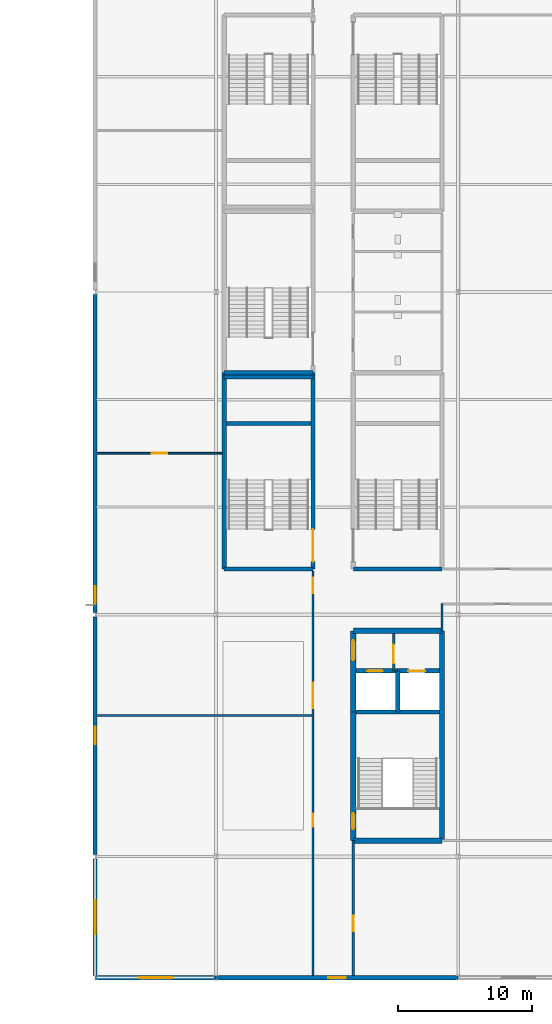
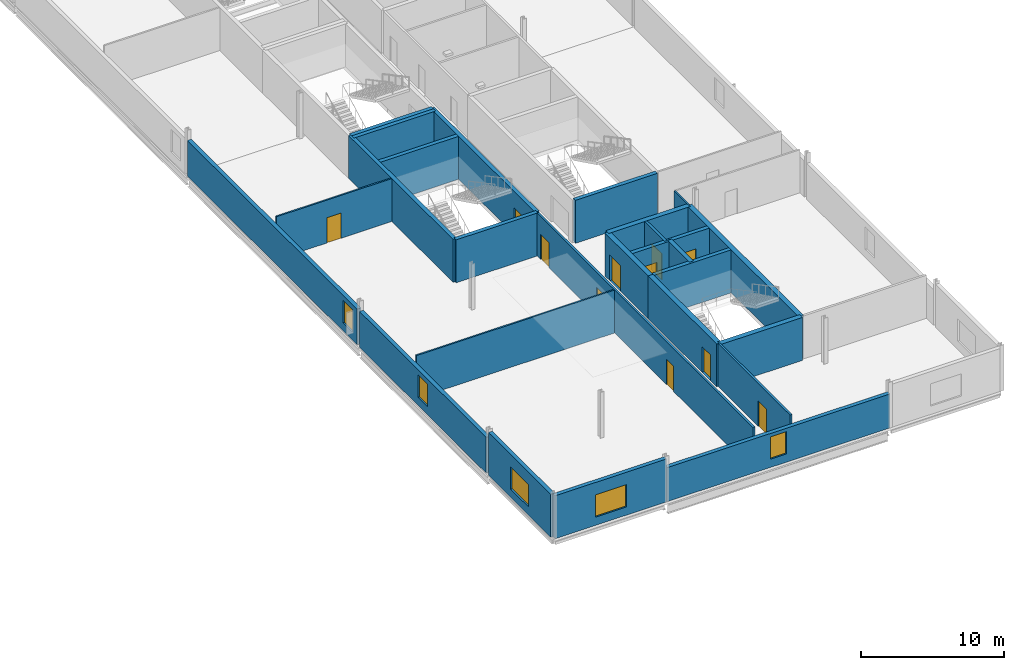
# One storey, part 14 of 27: 27 walls, 11 doors, 5 windows, 16 openings.
"""IFC4 building model written with IfcOpenShell, lengths in metres."""

from ifc_helpers import new_model, si_unit, direction, frame, frame_2d, origin, place, context, subcontext, project, spatial, rectangle, extrude, material, layer, layer_set, type_object, element, fill, save


model = new_model("IFC4")

# Units and contexts
model_context = context("Model", 3, precision=1e-05, world=origin(), true_north=direction((0.0, 1.0)))
body_context = subcontext(model_context, "Body", "Model", "MODEL_VIEW")
ifc_project = project(units=[si_unit("LENGTHUNIT", "METRE"), si_unit("AREAUNIT", "SQUARE_METRE"), si_unit("VOLUMEUNIT", "CUBIC_METRE"), si_unit("PLANEANGLEUNIT", "RADIAN"), si_unit("MASSUNIT", "GRAM", prefix="KILO")], contexts=[model_context])

# Site, building, storey
site_placement = place(None, origin())
site = spatial("IfcSite", under=ifc_project, at=site_placement, CompositionType="ELEMENT")
building_placement = place(site_placement, origin())
building = spatial("IfcBuilding", under=site, at=building_placement, Name="Kisiwana Market Hall", CompositionType="ELEMENT")
storey_placement = place(building_placement, frame((0.0, 0.0, 41.699951171875)))
storey = spatial("IfcBuildingStorey", under=building, at=storey_placement, Name="L09", CompositionType="ELEMENT", Elevation=41.699951171875)

# Wall, opening, door
ifc_material_1 = material(Name="Masonry blockwork", Category="masonry")
ifc_layer_1 = layer(ifc_material_1, 0.199951171875, Name="Plastered fire compartment block wall")
ifc_layer_set_1 = layer_set([ifc_layer_1], Name="WL-COMP-200")
wall_type_1 = type_object("IfcWallType", Name="WL-COMP-200", PredefinedType="PARTITIONING", material=ifc_layer_set_1)
wall_1_placement = place(storey_placement, frame((184.199951171875, 31.820068359375, 0.0), z_axis=(0.0, 0.0, 1.0), x_axis=(0.0, 1.0, 0.0)))
wall_1 = element("IfcWall", 1, at=wall_1_placement, inside=storey, type_object=wall_type_1, Name="Core E2 firefighting lobby wall W-2545", PredefinedType="PARTITIONING", context=body_context, shape_type="SweptSolid", body=[
    extrude(rectangle(XDim=2.780029296875, YDim=0.199951171875, at=frame_2d((1.39013671875, 0.0))), origin(), (0.0, 0.0, 1.0), 3.655029296875),
])
opening_1_placement = place(wall_1_placement, frame((0.550048828125, 0.0, 0.0)))
opening_1 = element("IfcOpeningElement", 2, at=opening_1_placement, cuts=wall_1, Name="Opening DR-L09-009", PredefinedType="OPENING", context=body_context, shape_type="SweptSolid", body=[
    extrude(rectangle(XDim=1.39990234375, YDim=2.25, at=frame_2d((0.699951171875, 1.125))), frame((0.0, 0.11181640625, 0.0), z_axis=(0.0, -1.0, 0.0), x_axis=(1.0, 0.0, 0.0)), (0.0, 0.0, 1.0), 0.223876953125),
])
ifc_material_2 = material(Name="Steel S275", Category="steel")
door_type_1 = type_object("IfcDoorType", Name="DR-FFLOB-FD120-1400", OperationType="DOUBLE_DOOR_SINGLE_SWING", PredefinedType="DOOR", material=ifc_material_2)
door_1_placement = place(opening_1_placement, origin())
door_1 = element("IfcDoor", 3, at=door_1_placement, inside=storey, type_object=door_type_1, Name="Firefighting Lift Lobby E2 Door (L09)", OperationType="DOUBLE_DOOR_SINGLE_SWING", OverallHeight=2.25, OverallWidth=1.39990234375, PredefinedType="DOOR", context=body_context, shape_type="SweptSolid", body=[
    extrude(rectangle(XDim=1.39990234375, YDim=2.25, at=frame_2d((0.699951171875, 1.125))), frame((0.0, 0.02490234375, 0.0), z_axis=(0.0, -1.0, 0.0), x_axis=(1.0, 0.0, 0.0)), (0.0, 0.0, 1.0), 0.050048828125),
])
fill(opening_1, door_1)

# Walls
ifc_material_3 = material(Name="Concrete C40/50", Category="concrete")
ifc_layer_2 = layer(ifc_material_3, 0.320068359375, Name="Reinforced concrete shaft wall")
ifc_layer_set_2 = layer_set([ifc_layer_2], Name="WL-CORE-320")
wall_type_2 = type_object("IfcWallType", Name="WL-CORE-320", PredefinedType="SHEAR", material=ifc_layer_set_2)
wall_2_placement = place(storey_placement, frame((181.39990234375, 28.760009765625, 0.0), z_axis=(0.0, 0.0, 1.0), x_axis=(1.0, 0.0, 0.0)))
element("IfcWall", 4, at=wall_2_placement, inside=storey, type_object=wall_type_2, Name="Core E2 shaft back shear wall W-2446", PredefinedType="SHEAR", context=body_context, shape_type="SweptSolid", body=[
    extrude(rectangle(XDim=6.2001953125, YDim=0.320068359375, at=frame_2d((3.10009765625, 0.0))), origin(), (0.0, 0.0, 1.0), 3.655029296875),
])
wall_3_placement = place(storey_placement, frame((184.5, 28.760009765625, 0.0), z_axis=(0.0, 0.0, 1.0), x_axis=(0.0, 1.0, 0.0)))
element("IfcWall", 5, at=wall_3_placement, inside=storey, type_object=wall_type_2, Name="Core E2 inter-shaft shear wall W-2447", PredefinedType="SHEAR", context=body_context, shape_type="SweptSolid", body=[
    extrude(rectangle(XDim=3.06005859375, YDim=0.320068359375, at=frame_2d((1.530029296875, 0.0))), origin(), (0.0, 0.0, 1.0), 3.655029296875),
])

# Wall, opening, door
wall_4_placement = place(storey_placement, frame((181.39990234375, 31.820068359375, 0.0), z_axis=(0.0, 0.0, 1.0), x_axis=(1.0, 0.0, 0.0)))
wall_4 = element("IfcWall", 6, at=wall_4_placement, inside=storey, type_object=wall_type_2, Name="Core E2 west lift front wall W-2448", PredefinedType="SHEAR", context=body_context, shape_type="SweptSolid", body=[
    extrude(rectangle(XDim=3.10009765625, YDim=0.320068359375, at=frame_2d((1.550048828125, 0.0))), origin(), (0.0, 0.0, 1.0), 3.655029296875),
])
opening_2_placement = place(wall_4_placement, frame((0.85009765625, 0.0, 0.0)))
opening_2 = element("IfcOpeningElement", 7, at=opening_2_placement, cuts=wall_4, Name="Opening LD-L09-005", PredefinedType="OPENING", context=body_context, shape_type="SweptSolid", body=[
    extrude(rectangle(XDim=1.14990234375, YDim=2.199951171875, at=frame_2d((0.574951171875, 1.10009765625))), frame((0.0, 0.171875, 0.0), z_axis=(0.0, -1.0, 0.0), x_axis=(1.0, 0.0, 0.0)), (0.0, 0.0, 1.0), 0.343994140625),
])
ifc_material_4 = material(Name="Steel S275", Category="steel")
door_type_2 = type_object("IfcDoorType", Name="DR-LIFT-PAX-1150", OperationType="DOUBLE_DOOR_SLIDING", PredefinedType="DOOR", material=ifc_material_4)
door_2_placement = place(opening_2_placement, origin())
door_2 = element("IfcDoor", 8, at=door_2_placement, inside=storey, type_object=door_type_2, Name="Lift Landing Door LP-03 (L09)", OperationType="DOUBLE_DOOR_SLIDING", OverallHeight=2.199951171875, OverallWidth=1.14990234375, PredefinedType="DOOR", context=body_context, shape_type="SweptSolid", body=[
    extrude(rectangle(XDim=1.14990234375, YDim=2.199951171875, at=frame_2d((0.574951171875, 1.10009765625))), frame((0.0, 0.02490234375, 0.0), z_axis=(0.0, -1.0, 0.0), x_axis=(1.0, 0.0, 0.0)), (0.0, 0.0, 1.0), 0.050048828125),
])
fill(opening_2, door_2)

wall_5_placement = place(storey_placement, frame((184.5, 31.820068359375, 0.0), z_axis=(0.0, 0.0, 1.0), x_axis=(1.0, 0.0, 0.0)))
wall_5 = element("IfcWall", 9, at=wall_5_placement, inside=storey, type_object=wall_type_2, Name="Core E2 east lift front wall W-2449", PredefinedType="SHEAR", context=body_context, shape_type="SweptSolid", body=[
    extrude(rectangle(XDim=3.10009765625, YDim=0.320068359375, at=frame_2d((1.550048828125, 0.0))), origin(), (0.0, 0.0, 1.0), 3.655029296875),
])
opening_3_placement = place(wall_5_placement, frame((0.800048828125, 0.0, 0.0)))
opening_3 = element("IfcOpeningElement", 10, at=opening_3_placement, cuts=wall_5, Name="Opening LD-L09-006", PredefinedType="OPENING", context=body_context, shape_type="SweptSolid", body=[
    extrude(rectangle(XDim=1.25, YDim=2.25, at=frame_2d((0.625, 1.125))), frame((0.0, 0.171875, 0.0), z_axis=(0.0, -1.0, 0.0), x_axis=(1.0, 0.0, 0.0)), (0.0, 0.0, 1.0), 0.343994140625),
])
ifc_material_5 = material(Name="Steel S275", Category="steel")
door_type_3 = type_object("IfcDoorType", Name="DR-LIFT-FFL-1250", OperationType="DOUBLE_DOOR_SLIDING", PredefinedType="DOOR", material=ifc_material_5)
door_3_placement = place(opening_3_placement, origin())
door_3 = element("IfcDoor", 11, at=door_3_placement, inside=storey, type_object=door_type_3, Name="Lift Landing Door FFL-03 (L09)", OperationType="DOUBLE_DOOR_SLIDING", OverallHeight=2.25, OverallWidth=1.25, PredefinedType="DOOR", context=body_context, shape_type="SweptSolid", body=[
    extrude(rectangle(XDim=1.25, YDim=2.25, at=frame_2d((0.625, 1.125))), frame((0.0, 0.02490234375, 0.0), z_axis=(0.0, -1.0, 0.0), x_axis=(1.0, 0.0, 0.0)), (0.0, 0.0, 1.0), 0.050048828125),
])
fill(opening_3, door_3)

# Walls
wall_6_placement = place(storey_placement, frame((181.199951171875, 39.39990234375, 0.0), z_axis=(0.0, 0.0, 1.0), x_axis=(1.0, 0.0, 0.0)))
element("IfcWall", 12, at=wall_6_placement, inside=storey, type_object=wall_type_2, Name="Core E3 south shear wall W-2469", PredefinedType="SHEAR", context=body_context, shape_type="SweptSolid", body=[
    extrude(rectangle(XDim=6.60009765625, YDim=0.320068359375, at=frame_2d((3.300048828125, 0.0))), origin(), (0.0, 0.0, 1.0), 3.655029296875),
])
for number, where, z_axis, x_axis, name in (
    (13, (171.60009765625, 39.39990234375, 0.0), (0.0, 0.0, 1.0), (1.0, 0.0, 0.0), "Core E7 south shear wall W-2484"),
    (14, (171.60009765625, 54.0, 0.0), (0.0, 0.0, 1.0), (1.0, 0.0, 0.0), "Core E7 north shear wall W-2485"),
):
    element("IfcWall", number, at=place(storey_placement, frame(where, z_axis=z_axis, x_axis=x_axis)), inside=storey, type_object=wall_type_2, Name=name, PredefinedType="SHEAR", context=body_context, shape_type="SweptSolid", body=[
        extrude(rectangle(XDim=6.599853515625, YDim=0.320068359375, at=frame_2d((3.2998046875, 0.0))), origin(), (0.0, 0.0, 1.0), 3.655029296875),
    ])
wall_7_placement = place(storey_placement, frame((171.60009765625, 39.39990234375, 0.0), z_axis=(0.0, 0.0, 1.0), x_axis=(0.0, 1.0, 0.0)))
element("IfcWall", 15, at=wall_7_placement, inside=storey, type_object=wall_type_2, Name="Core E7 outer shear wall W-2486", PredefinedType="SHEAR", context=body_context, shape_type="SweptSolid", body=[
    extrude(rectangle(XDim=14.60009765625, YDim=0.320068359375, at=frame_2d((7.300048828125, 0.0))), origin(), (0.0, 0.0, 1.0), 3.655029296875),
])

# Wall, opening, door
wall_8_placement = place(storey_placement, frame((178.199951171875, 39.39990234375, 0.0), z_axis=(0.0, 0.0, 1.0), x_axis=(0.0, 1.0, 0.0)))
wall_8 = element("IfcWall", 16, at=wall_8_placement, inside=storey, type_object=wall_type_2, Name="Core E7 corridor shear wall W-2487", PredefinedType="SHEAR", context=body_context, shape_type="SweptSolid", body=[
    extrude(rectangle(XDim=14.60009765625, YDim=0.320068359375, at=frame_2d((7.300048828125, 0.0))), origin(), (0.0, 0.0, 1.0), 3.655029296875),
])
opening_4_placement = place(wall_8_placement, frame((0.550048828125, 0.0, 0.0)))
opening_4 = element("IfcOpeningElement", 17, at=opening_4_placement, cuts=wall_8, Name="Opening DR-L09-018", PredefinedType="OPENING", context=body_context, shape_type="SweptSolid", body=[
    extrude(rectangle(XDim=2.39990234375, YDim=2.25, at=frame_2d((1.199951171875, 1.125))), frame((0.0, 0.171875, 0.0), z_axis=(0.0, -1.0, 0.0), x_axis=(1.0, 0.0, 0.0)), (0.0, 0.0, 1.0), 0.343994140625),
])
ifc_material_6 = material(Name="Steel S275", Category="steel")
door_type_4 = type_object("IfcDoorType", Name="DR-STAIR-FD120-2400", OperationType="DOUBLE_DOOR_SINGLE_SWING", PredefinedType="DOOR", material=ifc_material_6)
door_4_placement = place(opening_4_placement, origin())
door_4 = element("IfcDoor", 18, at=door_4_placement, inside=storey, type_object=door_type_4, Name="Escape Stair E7 Fire Door (L09)", OperationType="DOUBLE_DOOR_SINGLE_SWING", OverallHeight=2.25, OverallWidth=2.39990234375, PredefinedType="DOOR", context=body_context, shape_type="SweptSolid", body=[
    extrude(rectangle(XDim=2.39990234375, YDim=2.25, at=frame_2d((1.199951171875, 1.125))), frame((0.0, 0.02490234375, 0.0), z_axis=(0.0, -1.0, 0.0), x_axis=(1.0, 0.0, 0.0)), (0.0, 0.0, 1.0), 0.050048828125),
])
fill(opening_4, door_4)

# Walls
wall_9_placement = place(storey_placement, frame((171.760009765625, 50.219970703125, 0.0), z_axis=(0.0, 0.0, 1.0), x_axis=(1.0, 0.0, 0.0)))
element("IfcWall", 19, at=wall_9_placement, inside=storey, type_object=wall_type_2, Name="Core E7 riser divider shear wall W-2488", PredefinedType="SHEAR", context=body_context, shape_type="SweptSolid", body=[
    extrude(rectangle(XDim=6.280029296875, YDim=0.320068359375, at=frame_2d((3.14013671875, 0.0))), origin(), (0.0, 0.0, 1.0), 3.655029296875),
])
wall_10_placement = place(storey_placement, frame((171.60009765625, 53.679931640625, 0.0), z_axis=(0.0, 0.0, 1.0), x_axis=(1.0, 0.0, 0.0)))
element("IfcWall", 20, at=wall_10_placement, inside=storey, type_object=wall_type_2, Name="Core E5 south shear wall W-2503", PredefinedType="SHEAR", context=body_context, shape_type="SweptSolid", body=[
    extrude(rectangle(XDim=6.599853515625, YDim=0.320068359375, at=frame_2d((3.2998046875, 0.0))), origin(), (0.0, 0.0, 1.0), 3.655029296875),
])
ifc_material_7 = material(Name="Concrete C40/50", Category="concrete")
ifc_layer_3 = layer(ifc_material_7, 0.39990234375, Name="Reinforced concrete core wall")
ifc_layer_set_3 = layer_set([ifc_layer_3], Name="WL-CORE-400")
wall_type_3 = type_object("IfcWallType", Name="WL-CORE-400", PredefinedType="SHEAR", material=ifc_layer_set_3)
for number, where, z_axis, x_axis, name in (
    (21, (181.199951171875, 19.199951171875, 0.0), (0.0, 0.0, 1.0), (1.0, 0.0, 0.0), "Core E2 south shear wall W-2441"),
    (22, (181.199951171875, 34.800048828125, 0.0), (0.0, 0.0, 1.0), (1.0, 0.0, 0.0), "Core E2 north shear wall W-2442"),
):
    element("IfcWall", number, at=place(storey_placement, frame(where, z_axis=z_axis, x_axis=x_axis)), inside=storey, type_object=wall_type_3, Name=name, PredefinedType="SHEAR", context=body_context, shape_type="SweptSolid", body=[
        extrude(rectangle(XDim=6.60009765625, YDim=0.39990234375, at=frame_2d((3.300048828125, 0.0))), origin(), (0.0, 0.0, 1.0), 3.655029296875),
    ])
wall_11_placement = place(storey_placement, frame((187.800048828125, 19.199951171875, 0.0), z_axis=(0.0, 0.0, 1.0), x_axis=(0.0, 1.0, 0.0)))
element("IfcWall", 23, at=wall_11_placement, inside=storey, type_object=wall_type_3, Name="Core E2 outer shear wall W-2443", PredefinedType="SHEAR", context=body_context, shape_type="SweptSolid", body=[
    extrude(rectangle(XDim=15.60009765625, YDim=0.39990234375, at=frame_2d((7.800048828125, 0.0))), origin(), (0.0, 0.0, 1.0), 3.655029296875),
])

# Wall, opening, door
wall_12_placement = place(storey_placement, frame((181.199951171875, 19.199951171875, 0.0), z_axis=(0.0, 0.0, 1.0), x_axis=(0.0, 1.0, 0.0)))
wall_12 = element("IfcWall", 24, at=wall_12_placement, inside=storey, type_object=wall_type_3, Name="Core E2 stair corridor shear wall W-2444", PredefinedType="SHEAR", context=body_context, shape_type="SweptSolid", body=[
    extrude(rectangle(XDim=9.56005859375, YDim=0.39990234375, at=frame_2d((4.780029296875, 0.0))), origin(), (0.0, 0.0, 1.0), 3.655029296875),
])
opening_5_placement = place(wall_12_placement, frame((0.85009765625, 0.0, 0.0)))
opening_5 = element("IfcOpeningElement", 25, at=opening_5_placement, cuts=wall_12, Name="Opening DR-L09-007", PredefinedType="OPENING", context=body_context, shape_type="SweptSolid", body=[
    extrude(rectangle(XDim=1.199951171875, YDim=2.199951171875, at=frame_2d((0.60009765625, 1.10009765625))), frame((0.0, 0.2119140625, 0.0), z_axis=(0.0, -1.0, 0.0), x_axis=(1.0, 0.0, 0.0)), (0.0, 0.0, 1.0), 0.423828125),
])
ifc_material_8 = material(Name="Steel S275", Category="steel")
door_type_5 = type_object("IfcDoorType", Name="DR-STAIR-FD120-1200", OperationType="NOTDEFINED", PredefinedType="DOOR", material=ifc_material_8)
door_5_placement = place(opening_5_placement, frame((1.199951171875, 0.0, 0.0), z_axis=(0.0, 0.0, 1.0), x_axis=(-1.0, 0.0, 0.0)))
door_5 = element("IfcDoor", 26, at=door_5_placement, inside=storey, type_object=door_type_5, Name="Escape Stair E2 Fire Door (L09)", OperationType="SINGLE_SWING_RIGHT", OverallHeight=2.199951171875, OverallWidth=1.199951171875, PredefinedType="DOOR", context=body_context, shape_type="SweptSolid", body=[
    extrude(rectangle(XDim=1.199951171875, YDim=2.199951171875, at=frame_2d((0.60009765625, 1.10009765625))), frame((0.0, 0.02490234375, 0.0), z_axis=(0.0, -1.0, 0.0), x_axis=(1.0, 0.0, 0.0)), (0.0, 0.0, 1.0), 0.050048828125),
])
fill(opening_5, door_5)

wall_13_placement = place(storey_placement, frame((181.199951171875, 28.760009765625, 0.0), z_axis=(0.0, 0.0, 1.0), x_axis=(0.0, 1.0, 0.0)))
wall_13 = element("IfcWall", 27, at=wall_13_placement, inside=storey, type_object=wall_type_3, Name="Core E2 lobby corridor shear wall W-2445", PredefinedType="SHEAR", context=body_context, shape_type="SweptSolid", body=[
    extrude(rectangle(XDim=6.0400390625, YDim=0.39990234375, at=frame_2d((3.02001953125, 0.0))), origin(), (0.0, 0.0, 1.0), 3.655029296875),
])
opening_6_placement = place(wall_13_placement, frame((3.85009765625, 0.0, 0.0)))
opening_6 = element("IfcOpeningElement", 28, at=opening_6_placement, cuts=wall_13, Name="Opening DR-L09-008", PredefinedType="OPENING", context=body_context, shape_type="SweptSolid", body=[
    extrude(rectangle(XDim=1.5, YDim=2.199951171875, at=frame_2d((0.75, 1.10009765625))), frame((0.0, 0.2119140625, 0.0), z_axis=(0.0, -1.0, 0.0), x_axis=(1.0, 0.0, 0.0)), (0.0, 0.0, 1.0), 0.423828125),
])
ifc_material_9 = material(Name="Steel S275", Category="steel")
door_type_6 = type_object("IfcDoorType", Name="DR-CORR-FD60-1500", OperationType="DOUBLE_DOOR_SINGLE_SWING", PredefinedType="DOOR", material=ifc_material_9)
door_6_placement = place(opening_6_placement, origin())
door_6 = element("IfcDoor", 29, at=door_6_placement, inside=storey, type_object=door_type_6, Name="Passenger Lift Lobby E2 Smoke Door (L09)", OperationType="DOUBLE_DOOR_SINGLE_SWING", OverallHeight=2.199951171875, OverallWidth=1.5, PredefinedType="DOOR", context=body_context, shape_type="SweptSolid", body=[
    extrude(rectangle(XDim=1.5, YDim=2.199951171875, at=frame_2d((0.75, 1.10009765625))), frame((0.0, 0.02490234375, 0.0), z_axis=(0.0, -1.0, 0.0), x_axis=(1.0, 0.0, 0.0)), (0.0, 0.0, 1.0), 0.050048828125),
])
fill(opening_6, door_6)

ifc_material_10 = material(Name="Masonry blockwork", Category="masonry")
ifc_layer_4 = layer(ifc_material_10, 0.169921875, Name="Protected corridor partition")
ifc_layer_set_4 = layer_set([ifc_layer_4], Name="WL-CORR-170")
wall_type_4 = type_object("IfcWallType", Name="WL-CORR-170", PredefinedType="PARTITIONING", material=ifc_layer_set_4)
wall_14_placement = place(storey_placement, frame((181.199951171875, 9.157470703125, 0.0), z_axis=(0.0, 0.0, 1.0), x_axis=(0.0, 1.0, 0.0)))
wall_14 = element("IfcWall", 30, at=wall_14_placement, inside=storey, type_object=wall_type_4, Name="Interior partition W-2579", PredefinedType="PARTITIONING", context=body_context, shape_type="SweptSolid", body=[
    extrude(rectangle(XDim=10.04248046875, YDim=0.169921875, at=frame_2d((5.021240234375, 0.0))), origin(), (0.0, 0.0, 1.0), 3.655029296875),
])
opening_7_placement = place(wall_14_placement, frame((3.300048828125, 0.0, 0.0)))
opening_7 = element("IfcOpeningElement", 31, at=opening_7_placement, cuts=wall_14, Name="Opening DR-L09-044", PredefinedType="OPENING", context=body_context, shape_type="SweptSolid", body=[
    extrude(rectangle(XDim=1.14990234375, YDim=2.14990234375, at=frame_2d((0.574951171875, 1.074951171875))), frame((0.0, 0.096923828125, 0.0), z_axis=(0.0, -1.0, 0.0), x_axis=(1.0, 0.0, 0.0)), (0.0, 0.0, 1.0), 0.19384765625),
])
ifc_material_11 = material(Name="Aluminium alloy 6063-T6", Category="aluminium")
door_type_7 = type_object("IfcDoorType", Name="DR-MEET-1150", OperationType="NOTDEFINED", PredefinedType="DOOR", material=ifc_material_11)
door_7_placement = place(opening_7_placement, frame((1.14990234375, 0.0, 0.0), z_axis=(0.0, 0.0, 1.0), x_axis=(-1.0, 0.0, 0.0)))
door_7 = element("IfcDoor", 32, at=door_7_placement, inside=storey, type_object=door_type_7, Name="L09 E Corner Office Suite South Door", OperationType="SINGLE_SWING_RIGHT", OverallHeight=2.14990234375, OverallWidth=1.14990234375, PredefinedType="DOOR", context=body_context, shape_type="SweptSolid", body=[
    extrude(rectangle(XDim=1.14990234375, YDim=2.14990234375, at=frame_2d((0.574951171875, 1.074951171875))), frame((0.0, 0.02490234375, 0.0), z_axis=(0.0, -1.0, 0.0), x_axis=(1.0, 0.0, 0.0)), (0.0, 0.0, 1.0), 0.050048828125),
])
fill(opening_7, door_7)

# Wall, openings, doors
wall_15_placement = place(storey_placement, frame((178.199951171875, 9.157470703125, 0.0), z_axis=(0.0, 0.0, 1.0), x_axis=(0.0, 1.0, 0.0)))
wall_15 = element("IfcWall", 33, at=wall_15_placement, inside=storey, type_object=wall_type_4, Name="Interior partition W-2585", PredefinedType="PARTITIONING", context=body_context, shape_type="SweptSolid", body=[
    extrude(rectangle(XDim=30.08251953125, YDim=0.169921875, at=frame_2d((15.041259765625, 0.0))), origin(), (0.0, 0.0, 1.0), 3.655029296875),
])
opening_8_placement = place(wall_15_placement, frame((11.052978515625, 0.0, 0.0)))
opening_8 = element("IfcOpeningElement", 34, at=opening_8_placement, cuts=wall_15, Name="Opening DR-L09-047", PredefinedType="OPENING", context=body_context, shape_type="SweptSolid", body=[
    extrude(rectangle(XDim=1.0, YDim=2.14990234375, at=frame_2d((0.5, 1.074951171875))), frame((0.0, 0.096923828125, 0.0), z_axis=(0.0, -1.0, 0.0), x_axis=(1.0, 0.0, 0.0)), (0.0, 0.0, 1.0), 0.19384765625),
])
opening_9_placement = place(wall_15_placement, frame((28.452880859375, 0.0, 0.0)))
opening_9 = element("IfcOpeningElement", 35, at=opening_9_placement, cuts=wall_15, Name="Opening DR-L09-048", PredefinedType="OPENING", context=body_context, shape_type="SweptSolid", body=[
    extrude(rectangle(XDim=1.14990234375, YDim=2.14990234375, at=frame_2d((0.574951171875, 1.074951171875))), frame((0.0, 0.096923828125, 0.0), z_axis=(0.0, -1.0, 0.0), x_axis=(1.0, 0.0, 0.0)), (0.0, 0.0, 1.0), 0.19384765625),
])
opening_10_placement = place(wall_15_placement, frame((19.89306640625, 0.0, 0.0)))
opening_10 = element("IfcOpeningElement", 36, at=opening_10_placement, cuts=wall_15, Name="Opening DR-L09-049", PredefinedType="OPENING", context=body_context, shape_type="SweptSolid", body=[
    extrude(rectangle(XDim=1.89990234375, YDim=2.35009765625, at=frame_2d((0.949951171875, 1.175048828125))), frame((0.0, 0.096923828125, 0.0), z_axis=(0.0, -1.0, 0.0), x_axis=(1.0, 0.0, 0.0)), (0.0, 0.0, 1.0), 0.19384765625),
])
ifc_material_12 = material(Name="Steel S275", Category="steel")
door_type_8 = type_object("IfcDoorType", Name="DR-HALL-1900", OperationType="DOUBLE_DOOR_SINGLE_SWING", PredefinedType="DOOR", material=ifc_material_12)
door_8_placement = place(opening_10_placement, origin())
door_8 = element("IfcDoor", 37, at=door_8_placement, inside=storey, type_object=door_type_8, Name="L09 E Boardroom Suite M2 Exit Door", OperationType="DOUBLE_DOOR_SINGLE_SWING", OverallHeight=2.35009765625, OverallWidth=1.89990234375, PredefinedType="DOOR", context=body_context, shape_type="SweptSolid", body=[
    extrude(rectangle(XDim=1.89990234375, YDim=2.35009765625, at=frame_2d((0.949951171875, 1.175048828125))), frame((0.0, 0.02490234375, 0.0), z_axis=(0.0, -1.0, 0.0), x_axis=(1.0, 0.0, 0.0)), (0.0, 0.0, 1.0), 0.050048828125),
])
fill(opening_10, door_8)
door_9_placement = place(opening_9_placement, origin())
door_9 = element("IfcDoor", 38, at=door_9_placement, inside=storey, type_object=door_type_7, Name="L09 E Boardroom Suite M2 Door", OperationType="SINGLE_SWING_RIGHT", OverallHeight=2.14990234375, OverallWidth=1.14990234375, PredefinedType="DOOR", context=body_context, shape_type="SweptSolid", body=[
    extrude(rectangle(XDim=1.14990234375, YDim=2.14990234375, at=frame_2d((0.574951171875, 1.074951171875))), frame((0.0, 0.02490234375, 0.0), z_axis=(0.0, -1.0, 0.0), x_axis=(1.0, 0.0, 0.0)), (0.0, 0.0, 1.0), 0.050048828125),
])
fill(opening_9, door_9)
ifc_material_13 = material(Name="Aluminium alloy 6063-T6", Category="aluminium")
door_type_9 = type_object("IfcDoorType", Name="DR-OFF-1000", OperationType="NOTDEFINED", PredefinedType="DOOR", material=ifc_material_13)
door_10_placement = place(opening_8_placement, origin())
door_10 = element("IfcDoor", 39, at=door_10_placement, inside=storey, type_object=door_type_9, Name="L09 E Mid-Rise Office Suite M1 Door", OperationType="SINGLE_SWING_LEFT", OverallHeight=2.14990234375, OverallWidth=1.0, PredefinedType="DOOR", context=body_context, shape_type="SweptSolid", body=[
    extrude(rectangle(XDim=1.0, YDim=2.14990234375, at=frame_2d((0.5, 1.074951171875))), frame((0.0, 0.02490234375, 0.0), z_axis=(0.0, -1.0, 0.0), x_axis=(1.0, 0.0, 0.0)), (0.0, 0.0, 1.0), 0.050048828125),
])
fill(opening_8, door_10)

# Wall, opening, window
ifc_material_14 = material(Name="Concrete C40/50 precast", Category="concrete")
ifc_layer_5 = layer(ifc_material_14, 0.31494140625)
ifc_layer_set_5 = layer_set([ifc_layer_5], Name="WL-EXT-315")
wall_type_5 = type_object("IfcWallType", Name="WL-EXT-315", PredefinedType="STANDARD", material=ifc_layer_set_5)
wall_16_placement = place(storey_placement, frame((162.010009765625, 9.0, 0.0), z_axis=(0.0, 0.0, 1.0), x_axis=(1.0, 0.0, 0.0)))
wall_16 = element("IfcWall", 40, at=wall_16_placement, inside=storey, type_object=wall_type_5, Name="Exterior wall W-2510", PredefinedType="STANDARD", context=body_context, shape_type="SweptSolid", body=[
    extrude(rectangle(XDim=8.97998046875, YDim=0.31494140625, at=frame_2d((4.489990234375, 0.0))), origin(), (0.0, 0.0, 1.0), 3.655029296875),
])
opening_11_placement = place(wall_16_placement, frame((3.239990234375, 0.0, 0.699951171875)))
opening_11 = element("IfcOpeningElement", 41, at=opening_11_placement, cuts=wall_16, Name="Opening WN-17", PredefinedType="OPENING", context=body_context, shape_type="SweptSolid", body=[
    extrude(rectangle(XDim=2.5, YDim=1.89990234375, at=frame_2d((1.25, 0.949951171875))), frame((0.0, 0.16943359375, 0.0), z_axis=(0.0, -1.0, 0.0), x_axis=(1.0, 0.0, 0.0)), (0.0, 0.0, 1.0), 0.3388671875),
])
ifc_material_15 = material(Name="Double-glazed solar-control low-E IGU", Category="glass")
window_type_1 = type_object("IfcWindowType", Name="WN-OFFB-2500x1900", PartitioningType="SINGLE_PANEL", PredefinedType="WINDOW", material=ifc_material_15)
window_1_placement = place(opening_11_placement, origin())
window_1 = element("IfcWindow", 42, at=window_1_placement, inside=storey, type_object=window_type_1, Name="Exterior window WN-280", OverallHeight=1.89990234375, OverallWidth=2.5, PartitioningType="SINGLE_PANEL", PredefinedType="WINDOW", context=body_context, shape_type="SweptSolid", body=[
    extrude(rectangle(XDim=2.5, YDim=1.89990234375, at=frame_2d((1.25, 0.949951171875))), frame((0.0, 0.030029296875, 0.0), z_axis=(0.0, -1.0, 0.0), x_axis=(1.0, 0.0, 0.0)), (0.0, 0.0, 1.0), 0.06005859375),
])
fill(opening_11, window_1)

wall_17_placement = place(storey_placement, frame((171.010009765625, 9.0, 0.0), z_axis=(0.0, 0.0, 1.0), x_axis=(1.0, 0.0, 0.0)))
wall_17 = element("IfcWall", 43, at=wall_17_placement, inside=storey, type_object=wall_type_5, Name="Exterior wall W-2511", PredefinedType="STANDARD", context=body_context, shape_type="SweptSolid", body=[
    extrude(rectangle(XDim=17.97998046875, YDim=0.31494140625, at=frame_2d((8.989990234375, 0.0))), origin(), (0.0, 0.0, 1.0), 2.892822265625),
])
opening_12_placement = place(wall_17_placement, frame((8.340087890625, 0.0, 0.699951171875)))
opening_12 = element("IfcOpeningElement", 44, at=opening_12_placement, cuts=wall_17, Name="Opening WN-08", PredefinedType="OPENING", context=body_context, shape_type="SweptSolid", body=[
    extrude(rectangle(XDim=1.300048828125, YDim=1.89990234375, at=frame_2d((0.64990234375, 0.949951171875))), frame((0.0, 0.16943359375, 0.0), z_axis=(0.0, -1.0, 0.0), x_axis=(1.0, 0.0, 0.0)), (0.0, 0.0, 1.0), 0.3388671875),
])
ifc_material_16 = material(Name="Double-glazed solar-control low-E IGU", Category="glass")
window_type_2 = type_object("IfcWindowType", Name="WN-OFFB-1300x1900", PartitioningType="SINGLE_PANEL", PredefinedType="WINDOW", material=ifc_material_16)
window_2_placement = place(opening_12_placement, origin())
window_2 = element("IfcWindow", 45, at=window_2_placement, inside=storey, type_object=window_type_2, Name="Exterior window WN-259", OverallHeight=1.89990234375, OverallWidth=1.300048828125, PartitioningType="SINGLE_PANEL", PredefinedType="WINDOW", context=body_context, shape_type="SweptSolid", body=[
    extrude(rectangle(XDim=1.300048828125, YDim=1.89990234375, at=frame_2d((0.64990234375, 0.949951171875))), frame((0.0, 0.030029296875, 0.0), z_axis=(0.0, -1.0, 0.0), x_axis=(1.0, 0.0, 0.0)), (0.0, 0.0, 1.0), 0.06005859375),
])
fill(opening_12, window_2)

wall_18_placement = place(storey_placement, frame((162.0, 9.159423828125, 0.0), z_axis=(0.0, 0.0, 1.0), x_axis=(0.0, 1.0, 0.0)))
wall_18 = element("IfcWall", 46, at=wall_18_placement, inside=storey, type_object=wall_type_5, Name="Exterior wall W-2531", PredefinedType="STANDARD", context=body_context, shape_type="SweptSolid", body=[
    extrude(rectangle(XDim=8.68115234375, YDim=0.31494140625, at=frame_2d((4.340576171875, 0.0))), origin(), (0.0, 0.0, 1.0), 3.655029296875),
])
opening_13_placement = place(wall_18_placement, frame((3.090576171875, 0.0, 0.699951171875)))
opening_13 = element("IfcOpeningElement", 47, at=opening_13_placement, cuts=wall_18, Name="Opening WN-17", PredefinedType="OPENING", context=body_context, shape_type="SweptSolid", body=[
    extrude(rectangle(XDim=2.5, YDim=1.89990234375, at=frame_2d((1.25, 0.949951171875))), frame((0.0, 0.16943359375, 0.0), z_axis=(0.0, -1.0, 0.0), x_axis=(1.0, 0.0, 0.0)), (0.0, 0.0, 1.0), 0.3388671875),
])
window_3_placement = place(opening_13_placement, origin())
window_3 = element("IfcWindow", 48, at=window_3_placement, inside=storey, type_object=window_type_1, Name="Exterior window WN-290", OverallHeight=1.89990234375, OverallWidth=2.5, PartitioningType="SINGLE_PANEL", PredefinedType="WINDOW", context=body_context, shape_type="SweptSolid", body=[
    extrude(rectangle(XDim=2.5, YDim=1.89990234375, at=frame_2d((1.25, 0.949951171875))), frame((0.0, 0.030029296875, 0.0), z_axis=(0.0, -1.0, 0.0), x_axis=(1.0, 0.0, 0.0)), (0.0, 0.0, 1.0), 0.06005859375),
])
fill(opening_13, window_3)

wall_19_placement = place(storey_placement, frame((162.0, 18.159423828125, 0.0), z_axis=(0.0, 0.0, 1.0), x_axis=(0.0, 1.0, 0.0)))
wall_19 = element("IfcWall", 49, at=wall_19_placement, inside=storey, type_object=wall_type_5, Name="Exterior wall W-2532", PredefinedType="STANDARD", context=body_context, shape_type="SweptSolid", body=[
    extrude(rectangle(XDim=17.68115234375, YDim=0.31494140625, at=frame_2d((8.840576171875, 0.0))), origin(), (0.0, 0.0, 1.0), 3.04296875),
])
opening_14_placement = place(wall_19_placement, frame((8.190673828125, 0.0, 0.699951171875)))
opening_14 = element("IfcOpeningElement", 50, at=opening_14_placement, cuts=wall_19, Name="Opening WN-08", PredefinedType="OPENING", context=body_context, shape_type="SweptSolid", body=[
    extrude(rectangle(XDim=1.300048828125, YDim=1.89990234375, at=frame_2d((0.64990234375, 0.949951171875))), frame((0.0, 0.16943359375, 0.0), z_axis=(0.0, -1.0, 0.0), x_axis=(1.0, 0.0, 0.0)), (0.0, 0.0, 1.0), 0.3388671875),
])
window_4_placement = place(opening_14_placement, origin())
window_4 = element("IfcWindow", 51, at=window_4_placement, inside=storey, type_object=window_type_2, Name="Exterior window WN-270", OverallHeight=1.89990234375, OverallWidth=1.300048828125, PartitioningType="SINGLE_PANEL", PredefinedType="WINDOW", context=body_context, shape_type="SweptSolid", body=[
    extrude(rectangle(XDim=1.300048828125, YDim=1.89990234375, at=frame_2d((0.64990234375, 0.949951171875))), frame((0.0, 0.030029296875, 0.0), z_axis=(0.0, -1.0, 0.0), x_axis=(1.0, 0.0, 0.0)), (0.0, 0.0, 1.0), 0.06005859375),
])
fill(opening_14, window_4)

wall_20_placement = place(storey_placement, frame((162.0, 36.159423828125, 0.0), z_axis=(0.0, 0.0, 1.0), x_axis=(0.0, 1.0, 0.0)))
wall_20 = element("IfcWall", 52, at=wall_20_placement, inside=storey, type_object=wall_type_5, Name="Exterior wall W-2533", PredefinedType="STANDARD", context=body_context, shape_type="SweptSolid", body=[
    extrude(rectangle(XDim=23.68115234375, YDim=0.31494140625, at=frame_2d((11.840576171875, 0.0))), origin(), (0.0, 0.0, 1.0), 3.04296875),
])
opening_15_placement = place(wall_20_placement, frame((0.64990234375, 0.0, 0.699951171875)))
opening_15 = element("IfcOpeningElement", 53, at=opening_15_placement, cuts=wall_20, Name="Opening WN-08", PredefinedType="OPENING", context=body_context, shape_type="SweptSolid", body=[
    extrude(rectangle(XDim=1.300048828125, YDim=1.89990234375, at=frame_2d((0.64990234375, 0.949951171875))), frame((0.0, 0.16943359375, 0.0), z_axis=(0.0, -1.0, 0.0), x_axis=(1.0, 0.0, 0.0)), (0.0, 0.0, 1.0), 0.3388671875),
])
window_5_placement = place(opening_15_placement, origin())
window_5 = element("IfcWindow", 54, at=window_5_placement, inside=storey, type_object=window_type_2, Name="Exterior window WN-271", OverallHeight=1.89990234375, OverallWidth=1.300048828125, PartitioningType="SINGLE_PANEL", PredefinedType="WINDOW", context=body_context, shape_type="SweptSolid", body=[
    extrude(rectangle(XDim=1.300048828125, YDim=1.89990234375, at=frame_2d((0.64990234375, 0.949951171875))), frame((0.0, 0.030029296875, 0.0), z_axis=(0.0, -1.0, 0.0), x_axis=(1.0, 0.0, 0.0)), (0.0, 0.0, 1.0), 0.06005859375),
])
fill(opening_15, window_5)

# Walls
ifc_material_17 = material(Name="Gypsum plasterboard")
ifc_layer_6 = layer(ifc_material_17, 0.125, Name="Double gypsum board + acoustic stud")
ifc_layer_set_6 = layer_set([ifc_layer_6], Name="WL-OFF-125")
wall_type_6 = type_object("IfcWallType", Name="WL-OFF-125", PredefinedType="PARTITIONING", material=ifc_layer_set_6)
wall_21_placement = place(storey_placement, frame((187.800048828125, 34.800048828125, 0.0), z_axis=(0.0, 0.0, 1.0), x_axis=(0.0, 1.0, 0.0)))
element("IfcWall", 55, at=wall_21_placement, inside=storey, type_object=wall_type_6, Name="Interior partition W-2571", PredefinedType="PARTITIONING", context=body_context, shape_type="SweptSolid", body=[
    extrude(rectangle(XDim=2.0, YDim=0.125, at=frame_2d((1.0, 0.0))), origin(), (0.0, 0.0, 1.0), 3.655029296875),
])
wall_22_placement = place(storey_placement, frame((162.157470703125, 28.5, 0.0), z_axis=(0.0, 0.0, 1.0), x_axis=(1.0, 0.0, 0.0)))
element("IfcWall", 56, at=wall_22_placement, inside=storey, type_object=wall_type_6, Name="Interior partition W-2581", PredefinedType="PARTITIONING", context=body_context, shape_type="SweptSolid", body=[
    extrude(rectangle(XDim=15.95751953125, YDim=0.125, at=frame_2d((7.978759765625, 0.0))), origin(), (0.0, 0.0, 1.0), 3.655029296875),
])

# Wall, opening, door
wall_23_placement = place(storey_placement, frame((162.157470703125, 48.0, 0.0), z_axis=(0.0, 0.0, 1.0), x_axis=(1.0, 0.0, 0.0)))
wall_23 = element("IfcWall", 57, at=wall_23_placement, inside=storey, type_object=wall_type_6, Name="Interior partition W-2582", PredefinedType="PARTITIONING", context=body_context, shape_type="SweptSolid", body=[
    extrude(rectangle(XDim=9.282470703125, YDim=0.125, at=frame_2d((4.64111328125, 0.0))), origin(), (0.0, 0.0, 1.0), 3.655029296875),
])
opening_16_placement = place(wall_23_placement, frame((4.050048828125, 0.0, 0.0)))
opening_16 = element("IfcOpeningElement", 58, at=opening_16_placement, cuts=wall_23, Name="Opening DR-L09-046", PredefinedType="OPENING", context=body_context, shape_type="SweptSolid", body=[
    extrude(rectangle(XDim=1.14990234375, YDim=2.14990234375, at=frame_2d((0.574951171875, 1.074951171875))), frame((0.0, 0.074462890625, 0.0), z_axis=(0.0, -1.0, 0.0), x_axis=(1.0, 0.0, 0.0)), (0.0, 0.0, 1.0), 0.14892578125),
])
door_11_placement = place(opening_16_placement, origin())
door_11 = element("IfcDoor", 59, at=door_11_placement, inside=storey, type_object=door_type_7, Name="L09 E Engineering Design Studio M3 Door", OperationType="SINGLE_SWING_LEFT", OverallHeight=2.14990234375, OverallWidth=1.14990234375, PredefinedType="DOOR", context=body_context, shape_type="SweptSolid", body=[
    extrude(rectangle(XDim=1.14990234375, YDim=2.14990234375, at=frame_2d((0.574951171875, 1.074951171875))), frame((0.0, 0.02490234375, 0.0), z_axis=(0.0, -1.0, 0.0), x_axis=(1.0, 0.0, 0.0)), (0.0, 0.0, 1.0), 0.050048828125),
])
fill(opening_16, door_11)

save(model, "model.ifc")
